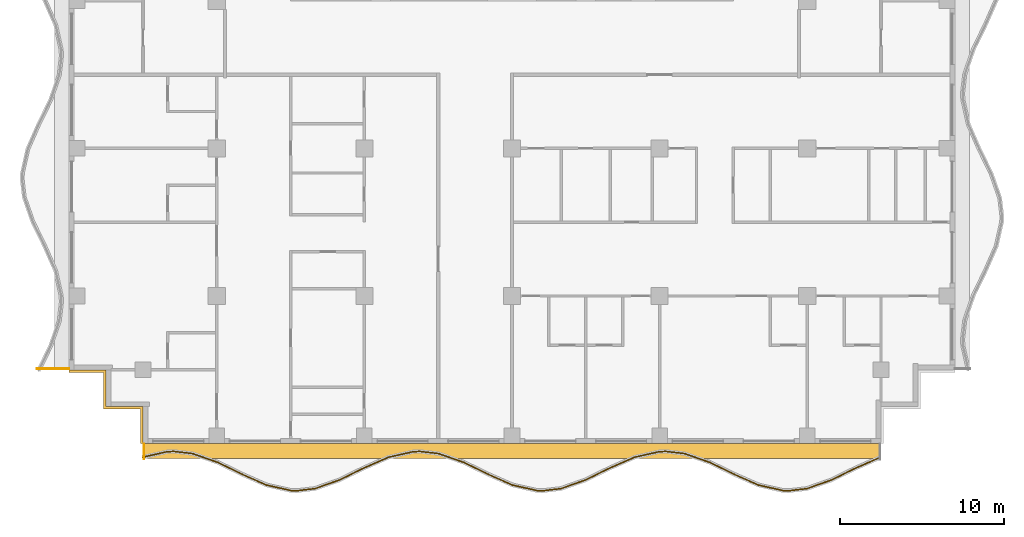
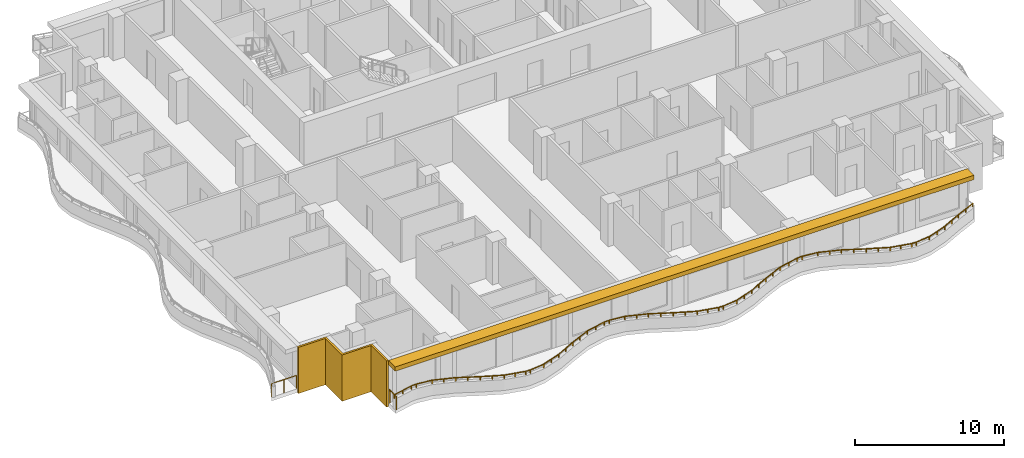
# One storey, part 8 of 11: 3 railings, 2 shading devices.
"""IFC4 building model written with IfcOpenShell, lengths in metres."""

from ifc_helpers import new_model, si_unit, direction, frame, origin, origin_2d, place, context, subcontext, project, spatial, polyline, rectangle, outline, extrude, material, layer, layer_set, type_object, element, save


model = new_model("IFC4")

# Units and contexts
model_context = context("Model", 3, precision=1e-05, world=origin(), true_north=direction((0.0, 1.0)))
body_context = subcontext(model_context, "Body", "Model", "MODEL_VIEW")
ifc_project = project(units=[si_unit("LENGTHUNIT", "METRE"), si_unit("AREAUNIT", "SQUARE_METRE"), si_unit("VOLUMEUNIT", "CUBIC_METRE"), si_unit("PLANEANGLEUNIT", "RADIAN"), si_unit("MASSUNIT", "GRAM", prefix="KILO")], contexts=[model_context])

# Site, building, storey
site_placement = place(None, origin())
site = spatial("IfcSite", under=ifc_project, at=site_placement, CompositionType="ELEMENT")
building_placement = place(site_placement, origin())
building = spatial("IfcBuilding", under=site, at=building_placement, Name="Orbiselva Terraces", CompositionType="ELEMENT")
storey_placement = place(building_placement, frame((0.0, 0.0, 230.0)))
storey = spatial("IfcBuildingStorey", under=building, at=storey_placement, Name="L58", CompositionType="ELEMENT", Elevation=230.0)

# Railings
ifc_material_1 = material(Name="Bonded two-ply safety glass balustrade, stainless steel posts", Category="steel")
railing_type_1 = type_object("IfcRailingType", Name="ENV-BALUSTRADE-1200", PredefinedType="BALUSTRADE", material=ifc_material_1)
railing_1_placement = place(storey_placement, frame((-22.527377, -23.329507, 0.9)))
element("IfcRailing", 1, at=railing_1_placement, inside=storey, type_object=railing_type_1, Name="Balcony balustrade L58 S", PredefinedType="BALUSTRADE", context=body_context, shape_type="SweptSolid", body=[
    extrude(outline(polyline([(0.028868, 0.0), (0.014434, 0.025), (-0.014434, 0.025), (-0.028868, 0.0), (-0.014434, -0.025), (0.014434, -0.025), (0.028868, 0.0)])), frame((0.0, 0.0, 0.275), z_axis=(0.97572138316, 0.219015484484, 0.0), x_axis=(-0.219015484484, 0.97572138316, 0.0)), (0.0, 0.0, 1.0), 1.548694),
    extrude(outline(polyline([(0.028868, 0.0), (0.014434, 0.025), (-0.014434, 0.025), (-0.028868, 0.0), (-0.014434, -0.025), (0.014434, -0.025), (0.028868, 0.0)])), frame((1.511094, 0.339188, 0.275), z_axis=(0.999224734286, 0.03936915532, 0.0), x_axis=(-0.03936915532, 0.999224734286, 0.0)), (0.0, 0.0, 1.0), 0.396376),
    extrude(outline(polyline([(0.028868, 0.0), (0.014434, 0.025), (-0.014434, 0.025), (-0.028868, 0.0), (-0.014434, -0.025), (0.014434, -0.025), (0.028868, 0.0)])), frame((1.907163, 0.354793, 0.275), z_axis=(0.993309551734, -0.115482182324, 0.0), x_axis=(0.115482182324, 0.993309551734, 0.0)), (0.0, 0.0, 1.0), 1.156135),
    extrude(outline(polyline([(0.028868, 0.0), (0.014434, 0.025), (-0.014434, 0.025), (-0.028868, 0.0), (-0.014434, -0.025), (0.014434, -0.025), (0.028868, 0.0)])), frame((3.055563, 0.22128, 0.275), z_axis=(0.943972332783, -0.330024597479, 0.0), x_axis=(0.330024597479, 0.943972332783, 0.0)), (0.0, 0.0, 1.0), 1.610253),
    extrude(outline(polyline([(0.028868, 0.0), (0.014434, 0.025), (-0.014434, 0.025), (-0.028868, 0.0), (-0.014434, -0.025), (0.014434, -0.025), (0.028868, 0.0)])), frame((4.575597, -0.310143, 0.275), z_axis=(0.898578870221, -0.438812048596, 0.0), x_axis=(0.438812048596, 0.898578870221, 0.0)), (0.0, 0.0, 1.0), 1.674225),
    extrude(outline(polyline([(0.028868, 0.0), (0.014434, 0.025), (-0.014434, 0.025), (-0.028868, 0.0), (-0.014434, -0.025), (0.014434, -0.025), (0.028868, 0.0)])), frame((6.08002, -1.044813, 0.275), z_axis=(0.915133363686, -0.403151245402, 0.0), x_axis=(0.403151245402, 0.915133363686, 0.0)), (0.0, 0.0, 1.0), 1.624475),
    extrude(outline(polyline([(0.028868, 0.0), (0.014434, 0.025), (-0.014434, 0.025), (-0.028868, 0.0), (-0.014434, -0.025), (0.014434, -0.025), (0.028868, 0.0)])), frame((7.566631, -1.699722, 0.275), z_axis=(0.975721325753, -0.219015740235, 0.0), x_axis=(0.219015740235, 0.975721325753, 0.0)), (0.0, 0.0, 1.0), 1.513782),
    extrude(outline(polyline([(0.028868, 0.0), (0.014434, 0.025), (-0.014434, 0.025), (-0.028868, 0.0), (-0.014434, -0.025), (0.014434, -0.025), (0.028868, 0.0)])), frame((9.04366, -2.031264, 0.275), z_axis=(0.999224931454, -0.039364150694, 0.0), x_axis=(0.039364150694, 0.999224931454, 0.0)), (0.0, 0.0, 1.0), 0.354206),
    extrude(outline(polyline([(0.028868, 0.0), (0.014434, 0.025), (-0.014434, 0.025), (-0.028868, 0.0), (-0.014434, -0.025), (0.014434, -0.025), (0.028868, 0.0)])), frame((9.397591, -2.045207, 0.275), z_axis=(0.993309658409, 0.115481264762, 0.0), x_axis=(-0.115481264762, 0.993309658409, 0.0)), (0.0, 0.0, 1.0), 1.10902),
    extrude(outline(polyline([(0.028868, 0.0), (0.014434, 0.025), (-0.014434, 0.025), (-0.028868, 0.0), (-0.014434, -0.025), (0.014434, -0.025), (0.028868, 0.0)])), frame((10.499191, -1.917136, 0.275), z_axis=(0.943972277814, 0.330024754707, 0.0), x_axis=(-0.330024754707, 0.943972277814, 0.0)), (0.0, 0.0, 1.0), 1.567807),
    extrude(outline(polyline([(0.028868, 0.0), (0.014434, 0.025), (-0.014434, 0.025), (-0.028868, 0.0), (-0.014434, -0.025), (0.014434, -0.025), (0.028868, 0.0)])), frame((11.979157, -1.399721, 0.275), z_axis=(0.89857890432, 0.438811978768, 0.0), x_axis=(-0.438811978768, 0.89857890432, 0.0)), (0.0, 0.0, 1.0), 1.66438),
    extrude(outline(polyline([(0.028868, 0.0), (0.014434, 0.025), (-0.014434, 0.025), (-0.028868, 0.0), (-0.014434, -0.025), (0.014434, -0.025), (0.028868, 0.0)])), frame((13.474734, -0.669371, 0.275), z_axis=(0.915133527237, 0.403150874148, 0.0), x_axis=(-0.403150874148, 0.915133527237, 0.0)), (0.0, 0.0, 1.0), 1.653736),
    extrude(outline(polyline([(0.028868, 0.0), (0.014434, 0.025), (-0.014434, 0.025), (-0.028868, 0.0), (-0.014434, -0.025), (0.014434, -0.025), (0.028868, 0.0)])), frame((14.988123, -0.002666, 0.275), z_axis=(0.97572137947, 0.219015500924, 0.0), x_axis=(-0.219015500924, 0.97572137947, 0.0)), (0.0, 0.0, 1.0), 1.560867),
    extrude(outline(polyline([(0.028868, 0.0), (0.014434, 0.025), (-0.014434, 0.025), (-0.028868, 0.0), (-0.014434, -0.025), (0.014434, -0.025), (0.028868, 0.0)])), frame((16.511094, 0.339188, 0.275), z_axis=(0.999224734286, 0.03936915532, 0.0), x_axis=(-0.03936915532, 0.999224734286, 0.0)), (0.0, 0.0, 1.0), 0.396376),
    extrude(outline(polyline([(0.028868, 0.0), (0.014434, 0.025), (-0.014434, 0.025), (-0.028868, 0.0), (-0.014434, -0.025), (0.014434, -0.025), (0.028868, 0.0)])), frame((16.907163, 0.354793, 0.275), z_axis=(0.993309551734, -0.115482182324, 0.0), x_axis=(0.115482182324, 0.993309551734, 0.0)), (0.0, 0.0, 1.0), 1.156135),
    extrude(outline(polyline([(0.028868, 0.0), (0.014434, 0.025), (-0.014434, 0.025), (-0.028868, 0.0), (-0.014434, -0.025), (0.014434, -0.025), (0.028868, 0.0)])), frame((18.055563, 0.22128, 0.275), z_axis=(0.943972332783, -0.330024597479, 0.0), x_axis=(0.330024597479, 0.943972332783, 0.0)), (0.0, 0.0, 1.0), 1.610253),
    extrude(outline(polyline([(0.028868, 0.0), (0.014434, 0.025), (-0.014434, 0.025), (-0.028868, 0.0), (-0.014434, -0.025), (0.014434, -0.025), (0.028868, 0.0)])), frame((19.575597, -0.310143, 0.275), z_axis=(0.898578870221, -0.438812048596, 0.0), x_axis=(0.438812048596, 0.898578870221, 0.0)), (0.0, 0.0, 1.0), 1.674225),
    extrude(outline(polyline([(0.028868, 0.0), (0.014434, 0.025), (-0.014434, 0.025), (-0.028868, 0.0), (-0.014434, -0.025), (0.014434, -0.025), (0.028868, 0.0)])), frame((21.08002, -1.044813, 0.275), z_axis=(0.915133363686, -0.403151245402, 0.0), x_axis=(0.403151245402, 0.915133363686, 0.0)), (0.0, 0.0, 1.0), 1.624475),
    extrude(outline(polyline([(0.028868, 0.0), (0.014434, 0.025), (-0.014434, 0.025), (-0.028868, 0.0), (-0.014434, -0.025), (0.014434, -0.025), (0.028868, 0.0)])), frame((22.566631, -1.699722, 0.275), z_axis=(0.975721325753, -0.219015740235, 0.0), x_axis=(0.219015740235, 0.975721325753, 0.0)), (0.0, 0.0, 1.0), 1.513782),
    extrude(outline(polyline([(0.028868, 0.0), (0.014434, 0.025), (-0.014434, 0.025), (-0.028868, 0.0), (-0.014434, -0.025), (0.014434, -0.025), (0.028868, 0.0)])), frame((24.04366, -2.031264, 0.275), z_axis=(0.999224931454, -0.039364150694, 0.0), x_axis=(0.039364150694, 0.999224931454, 0.0)), (0.0, 0.0, 1.0), 0.354206),
    extrude(outline(polyline([(0.028868, 0.0), (0.014434, 0.025), (-0.014434, 0.025), (-0.028868, 0.0), (-0.014434, -0.025), (0.014434, -0.025), (0.028868, 0.0)])), frame((24.397591, -2.045207, 0.275), z_axis=(0.993309658409, 0.115481264762, 0.0), x_axis=(-0.115481264762, 0.993309658409, 0.0)), (0.0, 0.0, 1.0), 1.10902),
    extrude(outline(polyline([(0.028868, 0.0), (0.014434, 0.025), (-0.014434, 0.025), (-0.028868, 0.0), (-0.014434, -0.025), (0.014434, -0.025), (0.028868, 0.0)])), frame((25.499191, -1.917136, 0.275), z_axis=(0.943972277814, 0.330024754707, 0.0), x_axis=(-0.330024754707, 0.943972277814, 0.0)), (0.0, 0.0, 1.0), 1.567807),
    extrude(outline(polyline([(0.028868, 0.0), (0.014434, 0.025), (-0.014434, 0.025), (-0.028868, 0.0), (-0.014434, -0.025), (0.014434, -0.025), (0.028868, 0.0)])), frame((26.979157, -1.399721, 0.275), z_axis=(0.89857890432, 0.438811978768, 0.0), x_axis=(-0.438811978768, 0.89857890432, 0.0)), (0.0, 0.0, 1.0), 1.66438),
    extrude(outline(polyline([(0.028868, 0.0), (0.014434, 0.025), (-0.014434, 0.025), (-0.028868, 0.0), (-0.014434, -0.025), (0.014434, -0.025), (0.028868, 0.0)])), frame((28.474734, -0.669371, 0.275), z_axis=(0.915133527237, 0.403150874148, 0.0), x_axis=(-0.403150874148, 0.915133527237, 0.0)), (0.0, 0.0, 1.0), 1.653736),
    extrude(outline(polyline([(0.028868, 0.0), (0.014434, 0.025), (-0.014434, 0.025), (-0.028868, 0.0), (-0.014434, -0.025), (0.014434, -0.025), (0.028868, 0.0)])), frame((29.988123, -0.002666, 0.275), z_axis=(0.97572137947, 0.219015500924, 0.0), x_axis=(-0.219015500924, 0.97572137947, 0.0)), (0.0, 0.0, 1.0), 1.560867),
    extrude(outline(polyline([(0.028868, 0.0), (0.014434, 0.025), (-0.014434, 0.025), (-0.028868, 0.0), (-0.014434, -0.025), (0.014434, -0.025), (0.028868, 0.0)])), frame((31.511094, 0.339188, 0.275), z_axis=(0.999224734286, 0.03936915532, 0.0), x_axis=(-0.03936915532, 0.999224734286, 0.0)), (0.0, 0.0, 1.0), 0.396376),
    extrude(outline(polyline([(0.028868, 0.0), (0.014434, 0.025), (-0.014434, 0.025), (-0.028868, 0.0), (-0.014434, -0.025), (0.014434, -0.025), (0.028868, 0.0)])), frame((31.907163, 0.354793, 0.275), z_axis=(0.993309551734, -0.115482182324, 0.0), x_axis=(0.115482182324, 0.993309551734, 0.0)), (0.0, 0.0, 1.0), 1.156135),
    extrude(outline(polyline([(0.028868, 0.0), (0.014434, 0.025), (-0.014434, 0.025), (-0.028868, 0.0), (-0.014434, -0.025), (0.014434, -0.025), (0.028868, 0.0)])), frame((33.055563, 0.22128, 0.275), z_axis=(0.943972332783, -0.330024597479, 0.0), x_axis=(0.330024597479, 0.943972332783, 0.0)), (0.0, 0.0, 1.0), 1.610253),
    extrude(outline(polyline([(0.028868, 0.0), (0.014434, 0.025), (-0.014434, 0.025), (-0.028868, 0.0), (-0.014434, -0.025), (0.014434, -0.025), (0.028868, 0.0)])), frame((34.575597, -0.310143, 0.275), z_axis=(0.898578870221, -0.438812048596, 0.0), x_axis=(0.438812048596, 0.898578870221, 0.0)), (0.0, 0.0, 1.0), 1.674225),
    extrude(outline(polyline([(0.028868, 0.0), (0.014434, 0.025), (-0.014434, 0.025), (-0.028868, 0.0), (-0.014434, -0.025), (0.014434, -0.025), (0.028868, 0.0)])), frame((36.08002, -1.044813, 0.275), z_axis=(0.915133363686, -0.403151245402, 0.0), x_axis=(0.403151245402, 0.915133363686, 0.0)), (0.0, 0.0, 1.0), 1.624475),
    extrude(outline(polyline([(0.028868, 0.0), (0.014434, 0.025), (-0.014434, 0.025), (-0.028868, 0.0), (-0.014434, -0.025), (0.014434, -0.025), (0.028868, 0.0)])), frame((37.566631, -1.699722, 0.275), z_axis=(0.975721325753, -0.219015740235, 0.0), x_axis=(0.219015740235, 0.975721325753, 0.0)), (0.0, 0.0, 1.0), 1.513782),
    extrude(outline(polyline([(0.028868, 0.0), (0.014434, 0.025), (-0.014434, 0.025), (-0.028868, 0.0), (-0.014434, -0.025), (0.014434, -0.025), (0.028868, 0.0)])), frame((39.04366, -2.031264, 0.275), z_axis=(0.999224931454, -0.039364150694, 0.0), x_axis=(0.039364150694, 0.999224931454, 0.0)), (0.0, 0.0, 1.0), 0.354206),
    extrude(outline(polyline([(0.028868, 0.0), (0.014434, 0.025), (-0.014434, 0.025), (-0.028868, 0.0), (-0.014434, -0.025), (0.014434, -0.025), (0.028868, 0.0)])), frame((39.397591, -2.045207, 0.275), z_axis=(0.993309658409, 0.115481264762, 0.0), x_axis=(-0.115481264762, 0.993309658409, 0.0)), (0.0, 0.0, 1.0), 1.10902),
    extrude(outline(polyline([(0.028868, 0.0), (0.014434, 0.025), (-0.014434, 0.025), (-0.028868, 0.0), (-0.014434, -0.025), (0.014434, -0.025), (0.028868, 0.0)])), frame((40.499191, -1.917136, 0.275), z_axis=(0.943972277814, 0.330024754707, 0.0), x_axis=(-0.330024754707, 0.943972277814, 0.0)), (0.0, 0.0, 1.0), 1.567807),
    extrude(outline(polyline([(0.028868, 0.0), (0.014434, 0.025), (-0.014434, 0.025), (-0.028868, 0.0), (-0.014434, -0.025), (0.014434, -0.025), (0.028868, 0.0)])), frame((41.979157, -1.399721, 0.275), z_axis=(0.89857890432, 0.438811978768, 0.0), x_axis=(-0.438811978768, 0.89857890432, 0.0)), (0.0, 0.0, 1.0), 1.66438),
    extrude(outline(polyline([(0.028868, 0.0), (0.014434, 0.025), (-0.014434, 0.025), (-0.028868, 0.0), (-0.014434, -0.025), (0.014434, -0.025), (0.028868, 0.0)])), frame((43.474734, -0.669371, 0.275), z_axis=(0.915133394491, 0.403151175476, 0.0), x_axis=(-0.403151175476, 0.915133394491, 0.0)), (0.0, 0.0, 1.0), 1.641563),
    extrude(rectangle(XDim=0.05, YDim=0.05, at=origin_2d()), origin(), (0.0, 0.0, 1.0), 0.25),
    extrude(rectangle(XDim=0.05, YDim=0.05, at=origin_2d()), frame((0.755547, 0.169594, 0.0)), (0.0, 0.0, 1.0), 0.25),
    extrude(rectangle(XDim=0.05, YDim=0.05, at=origin_2d()), frame((1.511094, 0.339188, 0.0)), (0.0, 0.0, 1.0), 0.25),
    extrude(rectangle(XDim=0.05, YDim=0.05, at=origin_2d()), frame((1.907163, 0.354793, 0.0)), (0.0, 0.0, 1.0), 0.25),
    extrude(rectangle(XDim=0.05, YDim=0.05, at=origin_2d()), frame((3.055563, 0.22128, 0.0)), (0.0, 0.0, 1.0), 0.25),
    extrude(rectangle(XDim=0.05, YDim=0.05, at=origin_2d()), frame((3.81558, -0.044431, 0.0)), (0.0, 0.0, 1.0), 0.25),
    extrude(rectangle(XDim=0.05, YDim=0.05, at=origin_2d()), frame((4.575597, -0.310143, 0.0)), (0.0, 0.0, 1.0), 0.25),
    extrude(rectangle(XDim=0.05, YDim=0.05, at=origin_2d()), frame((5.327809, -0.677478, 0.0)), (0.0, 0.0, 1.0), 0.25),
    extrude(rectangle(XDim=0.05, YDim=0.05, at=origin_2d()), frame((6.08002, -1.044813, 0.0)), (0.0, 0.0, 1.0), 0.25),
    extrude(rectangle(XDim=0.05, YDim=0.05, at=origin_2d()), frame((6.823326, -1.372268, 0.0)), (0.0, 0.0, 1.0), 0.25),
    extrude(rectangle(XDim=0.05, YDim=0.05, at=origin_2d()), frame((7.566631, -1.699722, 0.0)), (0.0, 0.0, 1.0), 0.25),
    extrude(rectangle(XDim=0.05, YDim=0.05, at=origin_2d()), frame((8.305146, -1.865493, 0.0)), (0.0, 0.0, 1.0), 0.25),
    extrude(rectangle(XDim=0.05, YDim=0.05, at=origin_2d()), frame((9.04366, -2.031264, 0.0)), (0.0, 0.0, 1.0), 0.25),
    extrude(rectangle(XDim=0.05, YDim=0.05, at=origin_2d()), frame((9.397591, -2.045207, 0.0)), (0.0, 0.0, 1.0), 0.25),
    extrude(rectangle(XDim=0.05, YDim=0.05, at=origin_2d()), frame((10.499191, -1.917136, 0.0)), (0.0, 0.0, 1.0), 0.25),
    extrude(rectangle(XDim=0.05, YDim=0.05, at=origin_2d()), frame((11.239174, -1.658428, 0.0)), (0.0, 0.0, 1.0), 0.25),
    extrude(rectangle(XDim=0.05, YDim=0.05, at=origin_2d()), frame((11.979157, -1.399721, 0.0)), (0.0, 0.0, 1.0), 0.25),
    extrude(rectangle(XDim=0.05, YDim=0.05, at=origin_2d()), frame((12.726946, -1.034546, 0.0)), (0.0, 0.0, 1.0), 0.25),
    extrude(rectangle(XDim=0.05, YDim=0.05, at=origin_2d()), frame((13.474734, -0.669371, 0.0)), (0.0, 0.0, 1.0), 0.25),
    extrude(rectangle(XDim=0.05, YDim=0.05, at=origin_2d()), frame((14.231429, -0.336019, 0.0)), (0.0, 0.0, 1.0), 0.25),
    extrude(rectangle(XDim=0.05, YDim=0.05, at=origin_2d()), frame((14.988123, -0.002666, 0.0)), (0.0, 0.0, 1.0), 0.25),
    extrude(rectangle(XDim=0.05, YDim=0.05, at=origin_2d()), frame((15.749608, 0.168261, 0.0)), (0.0, 0.0, 1.0), 0.25),
    extrude(rectangle(XDim=0.05, YDim=0.05, at=origin_2d()), frame((16.511094, 0.339188, 0.0)), (0.0, 0.0, 1.0), 0.25),
    extrude(rectangle(XDim=0.05, YDim=0.05, at=origin_2d()), frame((16.907163, 0.354793, 0.0)), (0.0, 0.0, 1.0), 0.25),
    extrude(rectangle(XDim=0.05, YDim=0.05, at=origin_2d()), frame((18.055563, 0.22128, 0.0)), (0.0, 0.0, 1.0), 0.25),
    extrude(rectangle(XDim=0.05, YDim=0.05, at=origin_2d()), frame((18.81558, -0.044431, 0.0)), (0.0, 0.0, 1.0), 0.25),
    extrude(rectangle(XDim=0.05, YDim=0.05, at=origin_2d()), frame((19.575597, -0.310143, 0.0)), (0.0, 0.0, 1.0), 0.25),
    extrude(rectangle(XDim=0.05, YDim=0.05, at=origin_2d()), frame((20.327809, -0.677478, 0.0)), (0.0, 0.0, 1.0), 0.25),
    extrude(rectangle(XDim=0.05, YDim=0.05, at=origin_2d()), frame((21.08002, -1.044813, 0.0)), (0.0, 0.0, 1.0), 0.25),
    extrude(rectangle(XDim=0.05, YDim=0.05, at=origin_2d()), frame((21.823326, -1.372268, 0.0)), (0.0, 0.0, 1.0), 0.25),
    extrude(rectangle(XDim=0.05, YDim=0.05, at=origin_2d()), frame((22.566631, -1.699722, 0.0)), (0.0, 0.0, 1.0), 0.25),
    extrude(rectangle(XDim=0.05, YDim=0.05, at=origin_2d()), frame((23.305146, -1.865493, 0.0)), (0.0, 0.0, 1.0), 0.25),
    extrude(rectangle(XDim=0.05, YDim=0.05, at=origin_2d()), frame((24.04366, -2.031264, 0.0)), (0.0, 0.0, 1.0), 0.25),
    extrude(rectangle(XDim=0.05, YDim=0.05, at=origin_2d()), frame((24.397591, -2.045207, 0.0)), (0.0, 0.0, 1.0), 0.25),
    extrude(rectangle(XDim=0.05, YDim=0.05, at=origin_2d()), frame((25.499191, -1.917136, 0.0)), (0.0, 0.0, 1.0), 0.25),
    extrude(rectangle(XDim=0.05, YDim=0.05, at=origin_2d()), frame((26.239174, -1.658428, 0.0)), (0.0, 0.0, 1.0), 0.25),
    extrude(rectangle(XDim=0.05, YDim=0.05, at=origin_2d()), frame((26.979157, -1.399721, 0.0)), (0.0, 0.0, 1.0), 0.25),
    extrude(rectangle(XDim=0.05, YDim=0.05, at=origin_2d()), frame((27.726946, -1.034546, 0.0)), (0.0, 0.0, 1.0), 0.25),
    extrude(rectangle(XDim=0.05, YDim=0.05, at=origin_2d()), frame((28.474734, -0.669371, 0.0)), (0.0, 0.0, 1.0), 0.25),
    extrude(rectangle(XDim=0.05, YDim=0.05, at=origin_2d()), frame((29.231428, -0.336019, 0.0)), (0.0, 0.0, 1.0), 0.25),
    extrude(rectangle(XDim=0.05, YDim=0.05, at=origin_2d()), frame((29.988123, -0.002666, 0.0)), (0.0, 0.0, 1.0), 0.25),
    extrude(rectangle(XDim=0.05, YDim=0.05, at=origin_2d()), frame((30.749608, 0.168261, 0.0)), (0.0, 0.0, 1.0), 0.25),
    extrude(rectangle(XDim=0.05, YDim=0.05, at=origin_2d()), frame((31.511094, 0.339188, 0.0)), (0.0, 0.0, 1.0), 0.25),
    extrude(rectangle(XDim=0.05, YDim=0.05, at=origin_2d()), frame((31.907163, 0.354793, 0.0)), (0.0, 0.0, 1.0), 0.25),
    extrude(rectangle(XDim=0.05, YDim=0.05, at=origin_2d()), frame((33.055563, 0.22128, 0.0)), (0.0, 0.0, 1.0), 0.25),
    extrude(rectangle(XDim=0.05, YDim=0.05, at=origin_2d()), frame((33.81558, -0.044431, 0.0)), (0.0, 0.0, 1.0), 0.25),
    extrude(rectangle(XDim=0.05, YDim=0.05, at=origin_2d()), frame((34.575597, -0.310143, 0.0)), (0.0, 0.0, 1.0), 0.25),
    extrude(rectangle(XDim=0.05, YDim=0.05, at=origin_2d()), frame((35.327808, -0.677478, 0.0)), (0.0, 0.0, 1.0), 0.25),
    extrude(rectangle(XDim=0.05, YDim=0.05, at=origin_2d()), frame((36.08002, -1.044813, 0.0)), (0.0, 0.0, 1.0), 0.25),
    extrude(rectangle(XDim=0.05, YDim=0.05, at=origin_2d()), frame((36.823326, -1.372268, 0.0)), (0.0, 0.0, 1.0), 0.25),
    extrude(rectangle(XDim=0.05, YDim=0.05, at=origin_2d()), frame((37.566631, -1.699722, 0.0)), (0.0, 0.0, 1.0), 0.25),
    extrude(rectangle(XDim=0.05, YDim=0.05, at=origin_2d()), frame((38.305146, -1.865493, 0.0)), (0.0, 0.0, 1.0), 0.25),
    extrude(rectangle(XDim=0.05, YDim=0.05, at=origin_2d()), frame((39.04366, -2.031264, 0.0)), (0.0, 0.0, 1.0), 0.25),
    extrude(rectangle(XDim=0.05, YDim=0.05, at=origin_2d()), frame((39.397591, -2.045207, 0.0)), (0.0, 0.0, 1.0), 0.25),
    extrude(rectangle(XDim=0.05, YDim=0.05, at=origin_2d()), frame((40.499191, -1.917136, 0.0)), (0.0, 0.0, 1.0), 0.25),
    extrude(rectangle(XDim=0.05, YDim=0.05, at=origin_2d()), frame((41.239174, -1.658428, 0.0)), (0.0, 0.0, 1.0), 0.25),
    extrude(rectangle(XDim=0.05, YDim=0.05, at=origin_2d()), frame((41.979157, -1.399721, 0.0)), (0.0, 0.0, 1.0), 0.25),
    extrude(rectangle(XDim=0.05, YDim=0.05, at=origin_2d()), frame((42.726946, -1.034546, 0.0)), (0.0, 0.0, 1.0), 0.25),
    extrude(rectangle(XDim=0.05, YDim=0.05, at=origin_2d()), frame((43.474734, -0.669371, 0.0)), (0.0, 0.0, 1.0), 0.25),
    extrude(rectangle(XDim=0.05, YDim=0.05, at=origin_2d()), frame((44.225858, -0.338472, 0.0)), (0.0, 0.0, 1.0), 0.25),
    extrude(rectangle(XDim=0.05, YDim=0.05, at=origin_2d()), frame((44.976983, -0.007573, 0.0)), (0.0, 0.0, 1.0), 0.25),
])
ifc_material_2 = material(Name="Stainless steel rail and posts", Category="steel")
railing_type_2 = type_object("IfcRailingType", Name="ENV-GUARD-1105", PredefinedType="BALUSTRADE", material=ifc_material_2)
railing_2_placement = place(storey_placement, frame((-22.44, -23.430416, 0.0)))
element("IfcRailing", 2, at=railing_2_placement, inside=storey, type_object=railing_type_2, Name="Balcony end guard L58 S", PredefinedType="BALUSTRADE", context=body_context, shape_type="SweptSolid", body=[
    extrude(outline(polyline([(0.028868, 0.0), (0.014434, 0.025), (-0.014434, 0.025), (-0.028868, 0.0), (-0.014434, -0.025), (0.014434, -0.025), (0.028868, 0.0)])), frame((0.0, 0.0, 1.08), z_axis=(0.0, 1.0, 0.0), x_axis=(-1.0, 0.0, 0.0)), (0.0, 0.0, 1.0), 0.905416),
    extrude(rectangle(XDim=0.05, YDim=0.05, at=origin_2d()), origin(), (0.0, 0.0, 1.0), 1.055),
    extrude(rectangle(XDim=0.05, YDim=0.05, at=origin_2d()), frame((0.0, 0.905416, 0.0)), (0.0, 0.0, 1.0), 1.055),
])
railing_3_placement = place(storey_placement, frame((-28.957877, -17.94, 0.0)))
element("IfcRailing", 3, at=railing_3_placement, inside=storey, type_object=railing_type_2, Name="Balcony end guard L58 W", PredefinedType="BALUSTRADE", context=body_context, shape_type="SweptSolid", body=[
    extrude(outline(polyline([(0.028868, 0.0), (0.014434, 0.025), (-0.014434, 0.025), (-0.028868, 0.0), (-0.014434, -0.025), (0.014434, -0.025), (0.028868, 0.0)])), frame((0.0, 0.0, 1.08), z_axis=(1.0, 0.0, 0.0), x_axis=(0.0, 1.0, 0.0)), (0.0, 0.0, 1.0), 1.932877),
    extrude(rectangle(XDim=0.05, YDim=0.05, at=origin_2d()), origin(), (0.0, 0.0, 1.0), 1.055),
    extrude(rectangle(XDim=0.05, YDim=0.05, at=origin_2d()), frame((0.966439, 0.0, 0.0)), (0.0, 0.0, 1.0), 1.055),
    extrude(rectangle(XDim=0.05, YDim=0.05, at=origin_2d()), frame((1.932877, 0.0, 0.0)), (0.0, 0.0, 1.0), 1.055),
])

# Shading devices
ifc_material_3 = material(Name="Terracotta louvre screen", Category="masonry")
ifc_layer_1 = layer(ifc_material_3, 0.15)
ifc_layer_set_1 = layer_set([ifc_layer_1], Name="Terracotta louvre screen")
shading_device_type_1 = type_object("IfcShadingDeviceType", Name="ENV-SCREEN-150", PredefinedType="USERDEFINED", material=ifc_layer_set_1)
shading_device_1_placement = place(storey_placement, frame((0.0, 0.0, -0.3)))
element("IfcShadingDevice", 4, at=shading_device_1_placement, inside=storey, type_object=shading_device_type_1, Name="Louvre screen L58 SW", ObjectType="SCREEN", PredefinedType="USERDEFINED", context=body_context, shape_type="SweptSolid", body=[
    extrude(outline(polyline([(-27.0, -18.15), (-24.9, -18.15), (-24.9, -20.4), (-22.65, -20.4), (-22.65, -22.5), (-22.5, -22.5), (-22.5, -20.25), (-24.75, -20.25), (-24.75, -18.0), (-27.0, -18.0), (-27.0, -18.15)])), origin(), (0.0, 0.0, 1.0), 3.8),
])
ifc_material_4 = material(Name="Terracotta baguette sunshade", Category="masonry")
ifc_layer_2 = layer(ifc_material_4, 0.35)
ifc_layer_set_2 = layer_set([ifc_layer_2], Name="Terracotta baguette sunshade")
shading_device_type_2 = type_object("IfcShadingDeviceType", Name="ENV-SUNSHADE-900x350", PredefinedType="USERDEFINED", material=ifc_layer_set_2)
shading_device_2_placement = place(storey_placement, frame((0.0, 0.0, 3.15)))
element("IfcShadingDevice", 5, at=shading_device_2_placement, inside=storey, type_object=shading_device_type_2, Name="Sunshade band L58 S", ObjectType="SUNSHADE", PredefinedType="USERDEFINED", context=body_context, shape_type="SweptSolid", body=[
    extrude(outline(polyline([(-22.5, -23.4), (22.5, -23.4), (22.5, -22.5), (-22.5, -22.5), (-22.5, -23.4)])), origin(), (0.0, 0.0, 1.0), 0.35),
])

save(model, "model.ifc")
